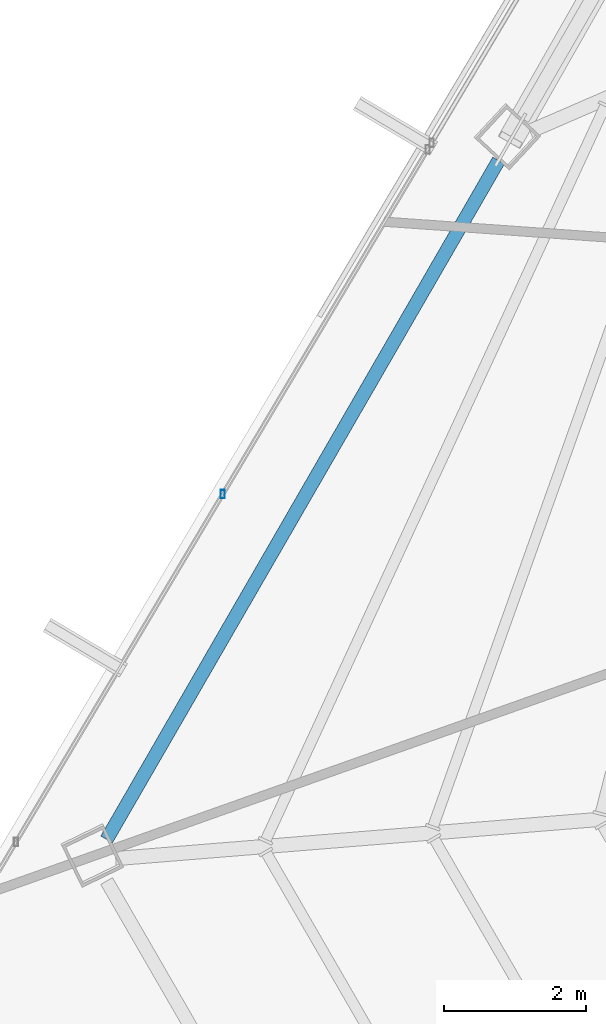
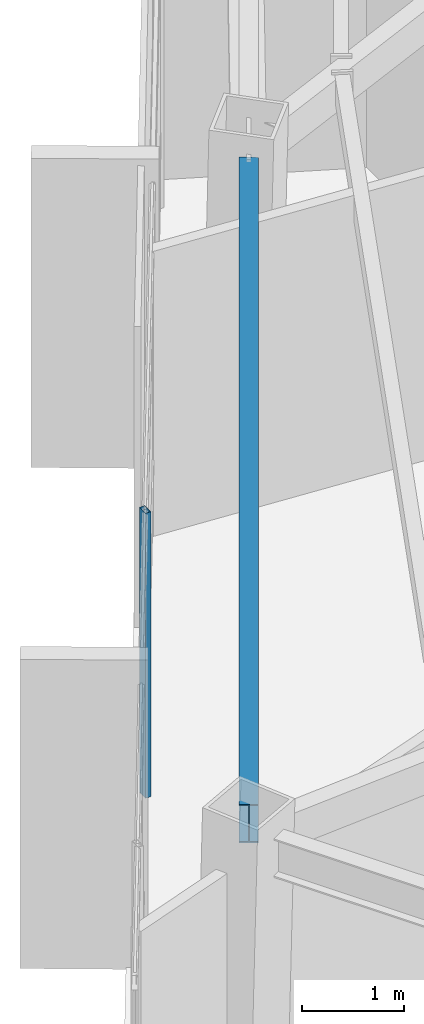
# One storey, part 9 of 45: 1 beam, 1 member, 1 element without a shape of its own.
"""IFC4 building model written with IfcOpenShell, lengths in metres."""

from ifc_helpers import new_model, si_unit, direction, frame, origin, origin_2d, place, context, subcontext, project, spatial, hollow_rectangle, i_section, extrude, source, transform, mapped, material, material_profile, profile_set, type_object, type_shapes, element, aggregate, save


model = new_model("IFC4")

# Units and contexts
model_context = context("Model", 3, precision=1e-05, world=origin(), true_north=direction((0.0, 1.0)))
body_context = subcontext(model_context, "Body", "Model", "MODEL_VIEW")
ifc_project = project(units=[si_unit("LENGTHUNIT", "METRE"), si_unit("AREAUNIT", "SQUARE_METRE"), si_unit("VOLUMEUNIT", "CUBIC_METRE"), si_unit("PLANEANGLEUNIT", "RADIAN"), si_unit("MASSUNIT", "GRAM", prefix="KILO")], contexts=[model_context])

# Site, building, storey
site_placement = place(None, origin())
site = spatial("IfcSite", under=ifc_project, at=site_placement, CompositionType="ELEMENT")
building_placement = place(site_placement, origin())
building = spatial("IfcBuilding", under=site, at=building_placement, Name="Caelisora Broadcast Tower", CompositionType="ELEMENT")
storey_placement = place(building_placement, frame((0.0, 0.0, 240.800048828125)))
storey = spatial("IfcBuildingStorey", under=building, at=storey_placement, Name="L63", CompositionType="ELEMENT", Elevation=240.800048828125)

# Beam
ifc_material_1 = material(Name="Steel Grade 350 (AS/NZS 3679.1)", Category="steel")
ifc_material_profile_1 = material_profile(ifc_material_1, i_section(OverallWidth=0.19091796875, OverallDepth=0.46044921875, WebThickness=0.010009765625, FlangeThickness=0.01611328125, at=origin_2d()), Name="Steel Grade 350 (AS/NZS 3679.1)")
ifc_profile_set_1 = profile_set([ifc_material_profile_1], Name="Steel Grade 350 (AS/NZS 3679.1)")
beam_type = type_object("IfcBeamType", Name="PG06", PredefinedType="BEAM", material=ifc_profile_set_1)
shared_shape_1 = source(origin(), body_context, "Body", "SweptSolid", [
    extrude(i_section(OverallWidth=0.19091796875, OverallDepth=0.46044921875, WebThickness=0.010009765625, FlangeThickness=0.01611328125, at=origin_2d()), origin(), (0.0, 0.0, 1.0), 11.02587890625),
])
type_shapes(beam_type, [shared_shape_1])
beam_placement = place(storey_placement, frame((21.99755859375, 26.092529296875, 3.169677734375), z_axis=(-0.499994623926, -0.86602850764, 0.0), x_axis=(0.86602850764, -0.499994623926, 0.0)))
element("IfcBeam", 1, at=beam_placement, inside=storey, type_object=beam_type, Name="L63 beam PG06", PredefinedType="BEAM", context=body_context, shape_type="MappedRepresentation", body=[
    mapped(shared_shape_1, transform((0.0, 0.0, 0.0), scale=1.0)),
])

# Curtain wall, member
ifc_material_2 = material(Name="Unitised Aluminium and Low-E Glass Curtain Wall", Category="glass")
curtain_wall_type = type_object("IfcCurtainWallType", Name="CW-Z5", PredefinedType="NOTDEFINED", material=ifc_material_2)
curtain_wall_placement = place(storey_placement, origin())
curtain_wall = element("IfcCurtainWall", 2, at=curtain_wall_placement, inside=storey, type_object=curtain_wall_type, Name="L63 curtain wall CW-Z5", PredefinedType="NOTDEFINED")
ifc_material_3 = material(Name="Aluminium 6063-T6 Anodised Terracotta Bronze", Category="aluminium")
ifc_material_profile_2 = material_profile(ifc_material_3, hollow_rectangle(XDim=0.06005859375, YDim=0.1201171875, WallThickness=0.0029296875, at=origin_2d()), Name="Aluminium 6063-T6 Anodised Terracotta Bronze")
ifc_profile_set_2 = profile_set([ifc_material_profile_2], Name="Aluminium 6063-T6 Anodised Terracotta Bronze")
member_type = type_object("IfcMemberType", Name="CWM-04", PredefinedType="MULLION", material=ifc_profile_set_2)
shared_shape_2 = source(origin(), body_context, "Body", "SweptSolid", [
    extrude(hollow_rectangle(XDim=0.06005859375, YDim=0.1201171875, WallThickness=0.0029296875, at=origin_2d()), origin(), (0.0, 0.0, 1.0), 3.39990234375),
])
type_shapes(member_type, [shared_shape_2])
member_placement = place(storey_placement, frame((18.117919921875, 21.3994140625, 0.0), z_axis=(0.0, 0.0, 1.0), x_axis=(1.0, 0.0, 0.0)))
member = element("IfcMember", 3, at=member_placement, type_object=member_type, Name="L63-CW-B09 mullion #2", PredefinedType="MULLION", context=body_context, shape_type="MappedRepresentation", body=[
    mapped(shared_shape_2, transform((0.0, 0.0, 0.0), scale=1.0)),
])
aggregate(curtain_wall, [member])

save(model, "model.ifc")
